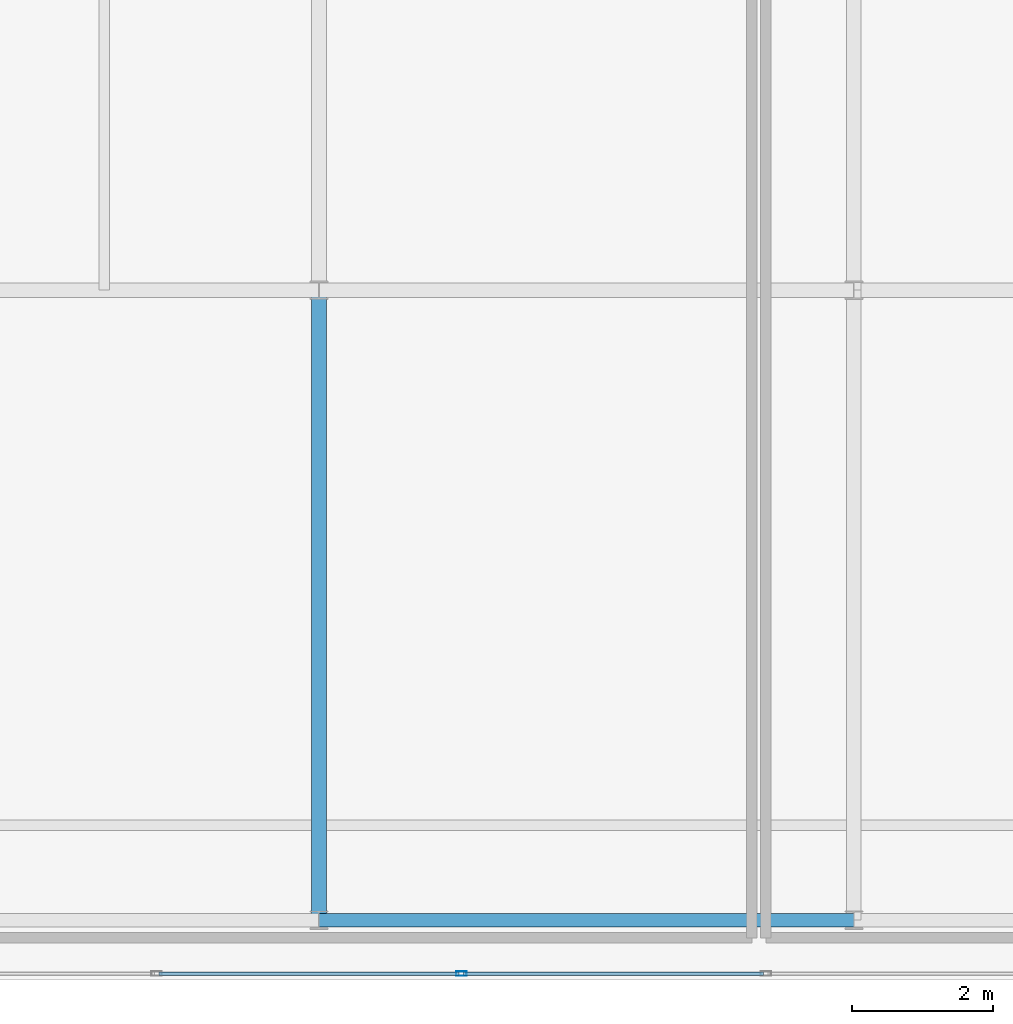
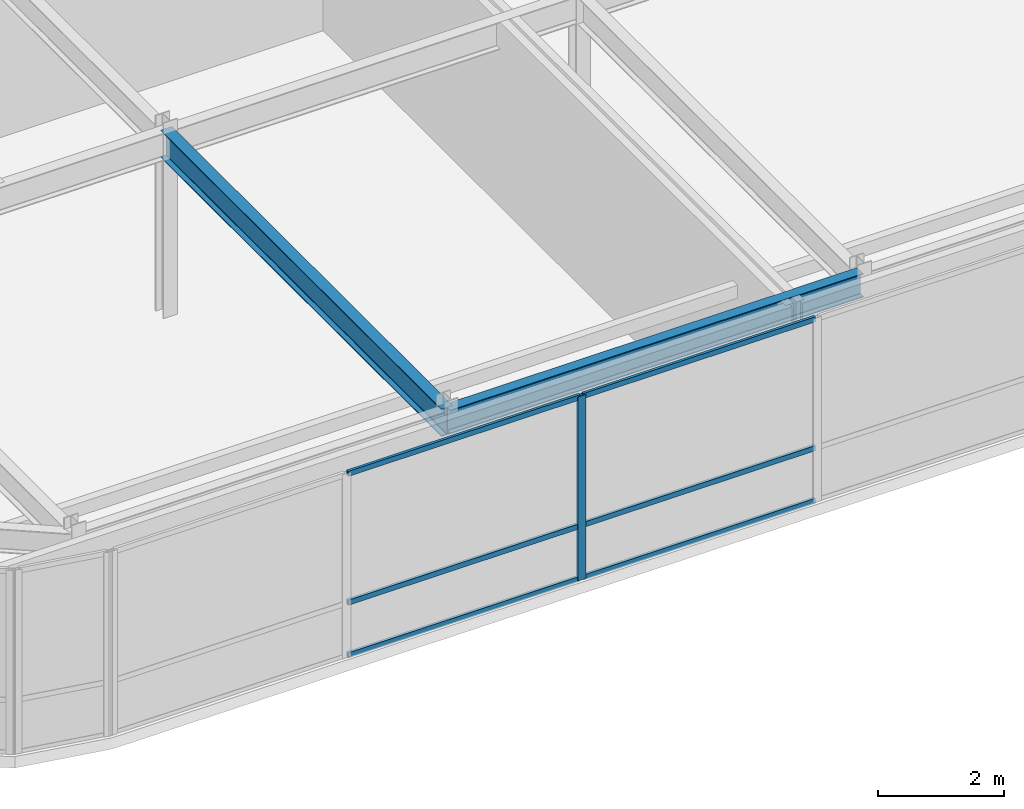
# One storey, part 7 of 36: 7 members, 2 beams, 1 element without a shape of its own.
"""IFC4 building model written with IfcOpenShell, lengths in metres."""

from ifc_helpers import new_model, si_unit, direction, frame, origin, origin_2d, place, context, subcontext, project, spatial, hollow_rectangle, i_section, extrude, source, transform, mapped, material, layer, layer_set, material_profile, profile_set, type_object, type_shapes, element, aggregate, save


model = new_model("IFC4")

# Units and contexts
model_context = context("Model", 3, precision=1e-05, world=origin(), true_north=direction((0.0, 1.0)))
body_context = subcontext(model_context, "Body", "Model", "MODEL_VIEW")
ifc_project = project(units=[si_unit("LENGTHUNIT", "METRE"), si_unit("AREAUNIT", "SQUARE_METRE"), si_unit("VOLUMEUNIT", "CUBIC_METRE"), si_unit("PLANEANGLEUNIT", "RADIAN"), si_unit("MASSUNIT", "GRAM", prefix="KILO")], contexts=[model_context])

# Site, building, storey
site_placement = place(None, origin())
site = spatial("IfcSite", under=ifc_project, at=site_placement, CompositionType="ELEMENT")
building_placement = place(site_placement, origin())
building = spatial("IfcBuilding", under=site, at=building_placement, Name="Tolvann Quenvar Hotel", CompositionType="ELEMENT")
storey_placement = place(building_placement, frame((0.0, 0.0, 298.550048828125)))
storey = spatial("IfcBuildingStorey", under=building, at=storey_placement, Name="L79", CompositionType="ELEMENT", Elevation=298.550048828125)

# Beams
ifc_material_1 = material(Name="Steel Grade 350", Category="steel")
ifc_material_profile_1 = material_profile(ifc_material_1, i_section(OverallWidth=0.19091796875, OverallDepth=0.4599609375, WebThickness=0.010009765625, FlangeThickness=0.01611328125, FilletRadius=0.011474609375, at=origin_2d()), Name="460UB82")
ifc_profile_set_1 = profile_set([ifc_material_profile_1], Name="Steel Grade 350")
beam_type_1 = type_object("IfcBeamType", Name="BM_SPAND_460UB82", PredefinedType="SPANDREL", material=ifc_profile_set_1)
shared_shape_1 = source(origin(), body_context, "Body", "SweptSolid", [
    extrude(i_section(OverallWidth=0.19091796875, OverallDepth=0.4599609375, WebThickness=0.010009765625, FlangeThickness=0.01611328125, FilletRadius=0.011474609375, at=origin_2d()), origin(), (0.0, 0.0, 1.0), 7.60009765625),
])
type_shapes(beam_type_1, [shared_shape_1])
beam_1_placement = place(storey_placement, frame((14.449951171875, 7.050048828125, 3.349853515625), z_axis=(1.0, 0.0, 0.0), x_axis=(0.0, 1.0, 0.0)))
element("IfcBeam", 1, at=beam_1_placement, inside=storey, type_object=beam_type_1, Name="BM-L79-EW-2-D2-E2", PredefinedType="SPANDREL", context=body_context, shape_type="MappedRepresentation", body=[
    mapped(shared_shape_1, transform((0.0, 0.0, 0.0), x_axis=(1.0, 0.0, 0.0), y_axis=(0.0, 1.0, 0.0), z_axis=(0.0, 0.0, 1.0), scale=1.0)),
])
ifc_material_profile_2 = material_profile(ifc_material_1, i_section(OverallWidth=0.208984375, OverallDepth=0.532958984375, WebThickness=0.01025390625, FlangeThickness=0.015625, FilletRadius=0.013916015625, at=origin_2d()), Name="530UB92")
ifc_profile_set_2 = profile_set([ifc_material_profile_2], Name="Steel Grade 350")
beam_type_2 = type_object("IfcBeamType", Name="BM_GIRD_530UB92", PredefinedType="BEAM", material=ifc_profile_set_2)
shared_shape_2 = source(origin(), body_context, "Body", "SweptSolid", [
    extrude(i_section(OverallWidth=0.208984375, OverallDepth=0.532958984375, WebThickness=0.01025390625, FlangeThickness=0.015625, FilletRadius=0.013916015625, at=origin_2d()), origin(), (0.0, 0.0, 1.0), 8.949951171875),
])
type_shapes(beam_type_2, [shared_shape_2])
beam_2_placement = place(storey_placement, frame((14.449951171875, 7.050048828125, 3.3134765625), z_axis=(0.0, 1.0, 0.0), x_axis=(-1.0, 0.0, 0.0)))
element("IfcBeam", 2, at=beam_2_placement, inside=storey, type_object=beam_type_2, Name="BM-L79-NS-D2-D4", PredefinedType="BEAM", context=body_context, shape_type="MappedRepresentation", body=[
    mapped(shared_shape_2, transform((0.0, 0.0, 0.0), x_axis=(1.0, 0.0, 0.0), y_axis=(0.0, 1.0, 0.0), z_axis=(0.0, 0.0, 1.0), scale=1.0)),
])

# Curtain wall, members
ifc_material_2 = material(Name="Thermally broken anodised architectural aluminium 6063-T6 and laminated low-E glass", Category="aluminium")
ifc_layer = layer(ifc_material_2, 0.179931640625)
ifc_layer_set = layer_set([ifc_layer], Name="Thermally broken anodised architectural aluminium 6063-T6 and laminated low-E glass")
curtain_wall_type = type_object("IfcCurtainWallType", Name="CW_SYS_LANT_06", PredefinedType="USERDEFINED", material=ifc_layer_set)
curtain_wall_placement = place(storey_placement, origin())
curtain_wall = element("IfcCurtainWall", 3, at=curtain_wall_placement, inside=storey, type_object=curtain_wall_type, Name="Curtain Wall CW-LANT-06 (CWR-L79-E04)", ObjectType="UNITISED CURTAIN WALL", PredefinedType="USERDEFINED")
ifc_material_3 = material(Name="Anodised architectural aluminium 6063-T6 framing", Category="aluminium")
ifc_material_profile_3 = material_profile(ifc_material_3, hollow_rectangle(XDim=0.050048828125, YDim=0.10009765625, WallThickness=0.0029296875, at=origin_2d()), Name="100x50x3RHS")
ifc_profile_set_3 = profile_set([ifc_material_profile_3], Name="Anodised architectural aluminium 6063-T6 framing")
member_type_1 = type_object("IfcMemberType", Name="CW_TRAN_100x50", PredefinedType="USERDEFINED", material=ifc_profile_set_3)
shared_shape_3 = source(origin(), body_context, "Body", "SweptSolid", [
    extrude(hollow_rectangle(XDim=0.050048828125, YDim=0.10009765625, WallThickness=0.0029296875, at=origin_2d()), origin(), (0.0, 0.0, 1.0), 4.2626953125),
])
type_shapes(member_type_1, [shared_shape_3])
member_1_placement = place(storey_placement, frame((12.17724609375, 6.2900390625, 0.02490234375), z_axis=(1.0, 0.0, 0.0), x_axis=(0.0, 1.0, 0.0)))
member_1 = element("IfcMember", 4, at=member_1_placement, type_object=member_type_1, Name="CW-LANT-06 transom 2.1", ObjectType="TRANSOM", PredefinedType="USERDEFINED", context=body_context, shape_type="MappedRepresentation", body=[
    mapped(shared_shape_3, transform((0.0, 0.0, 0.0), x_axis=(1.0, 0.0, 0.0), y_axis=(0.0, 1.0, 0.0), z_axis=(0.0, 0.0, 1.0), scale=1.0)),
])
member_2_placement = place(storey_placement, frame((12.17724609375, 6.2900390625, 1.050048828125), z_axis=(1.0, 0.0, 0.0), x_axis=(0.0, 1.0, 0.0)))
member_2 = element("IfcMember", 5, at=member_2_placement, type_object=member_type_1, Name="CW-LANT-06 transom 2.2", ObjectType="TRANSOM", PredefinedType="USERDEFINED", context=body_context, shape_type="MappedRepresentation", body=[
    mapped(shared_shape_3, transform((0.0, 0.0, 0.0), x_axis=(1.0, 0.0, 0.0), y_axis=(0.0, 1.0, 0.0), z_axis=(0.0, 0.0, 1.0), scale=1.0)),
])
member_3_placement = place(storey_placement, frame((12.17724609375, 6.2900390625, 3.554931640625), z_axis=(1.0, 0.0, 0.0), x_axis=(0.0, 1.0, 0.0)))
member_3 = element("IfcMember", 6, at=member_3_placement, type_object=member_type_1, Name="CW-LANT-06 transom 2.3", ObjectType="TRANSOM", PredefinedType="USERDEFINED", context=body_context, shape_type="MappedRepresentation", body=[
    mapped(shared_shape_3, transform((0.0, 0.0, 0.0), x_axis=(1.0, 0.0, 0.0), y_axis=(0.0, 1.0, 0.0), z_axis=(0.0, 0.0, 1.0), scale=1.0)),
])
member_4_placement = place(storey_placement, frame((16.5048828125, 6.2900390625, 0.02490234375), z_axis=(1.0, 0.0, 0.0), x_axis=(0.0, 1.0, 0.0)))
member_4 = element("IfcMember", 7, at=member_4_placement, type_object=member_type_1, Name="CW-LANT-06 transom 3.1", ObjectType="TRANSOM", PredefinedType="USERDEFINED", context=body_context, shape_type="MappedRepresentation", body=[
    mapped(shared_shape_3, transform((0.0, 0.0, 0.0), x_axis=(1.0, 0.0, 0.0), y_axis=(0.0, 1.0, 0.0), z_axis=(0.0, 0.0, 1.0), scale=1.0)),
])
member_5_placement = place(storey_placement, frame((16.5048828125, 6.2900390625, 1.050048828125), z_axis=(1.0, 0.0, 0.0), x_axis=(0.0, 1.0, 0.0)))
member_5 = element("IfcMember", 8, at=member_5_placement, type_object=member_type_1, Name="CW-LANT-06 transom 3.2", ObjectType="TRANSOM", PredefinedType="USERDEFINED", context=body_context, shape_type="MappedRepresentation", body=[
    mapped(shared_shape_3, transform((0.0, 0.0, 0.0), x_axis=(1.0, 0.0, 0.0), y_axis=(0.0, 1.0, 0.0), z_axis=(0.0, 0.0, 1.0), scale=1.0)),
])
member_6_placement = place(storey_placement, frame((16.5048828125, 6.2900390625, 3.554931640625), z_axis=(1.0, 0.0, 0.0), x_axis=(0.0, 1.0, 0.0)))
member_6 = element("IfcMember", 9, at=member_6_placement, type_object=member_type_1, Name="CW-LANT-06 transom 3.3", ObjectType="TRANSOM", PredefinedType="USERDEFINED", context=body_context, shape_type="MappedRepresentation", body=[
    mapped(shared_shape_3, transform((0.0, 0.0, 0.0), x_axis=(1.0, 0.0, 0.0), y_axis=(0.0, 1.0, 0.0), z_axis=(0.0, 0.0, 1.0), scale=1.0)),
])
ifc_material_profile_4 = material_profile(ifc_material_3, hollow_rectangle(XDim=0.06494140625, YDim=0.14990234375, WallThickness=0.00390625, at=origin_2d()), Name="150x65x4RHS")
ifc_profile_set_4 = profile_set([ifc_material_profile_4], Name="Anodised architectural aluminium 6063-T6 framing")
member_type_2 = type_object("IfcMemberType", Name="CW_MULL_150x65", PredefinedType="MULLION", material=ifc_profile_set_4)
shared_shape_4 = source(origin(), body_context, "Body", "SweptSolid", [
    extrude(hollow_rectangle(XDim=0.06494140625, YDim=0.14990234375, WallThickness=0.00390625, at=origin_2d()), origin(), (0.0, 0.0, 1.0), 3.579833984375),
])
type_shapes(member_type_2, [shared_shape_4])
member_7_placement = place(storey_placement, frame((16.472412109375, 6.2900390625, 0.0), z_axis=(0.0, 0.0, 1.0), x_axis=(0.0, 1.0, 0.0)))
member_7 = element("IfcMember", 10, at=member_7_placement, type_object=member_type_2, Name="CW-LANT-06 mullion 3", PredefinedType="MULLION", context=body_context, shape_type="MappedRepresentation", body=[
    mapped(shared_shape_4, transform((0.0, 0.0, 0.0), x_axis=(1.0, 0.0, 0.0), y_axis=(0.0, 1.0, 0.0), z_axis=(0.0, 0.0, 1.0), scale=1.0)),
])
aggregate(curtain_wall, [member_7, member_1, member_2, member_3, member_4, member_5, member_6])

save(model, "model.ifc")
